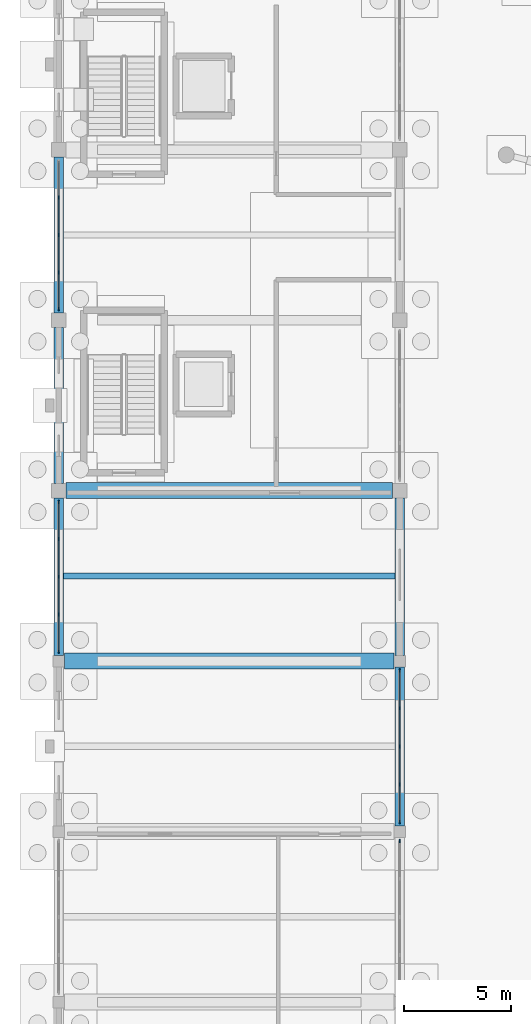
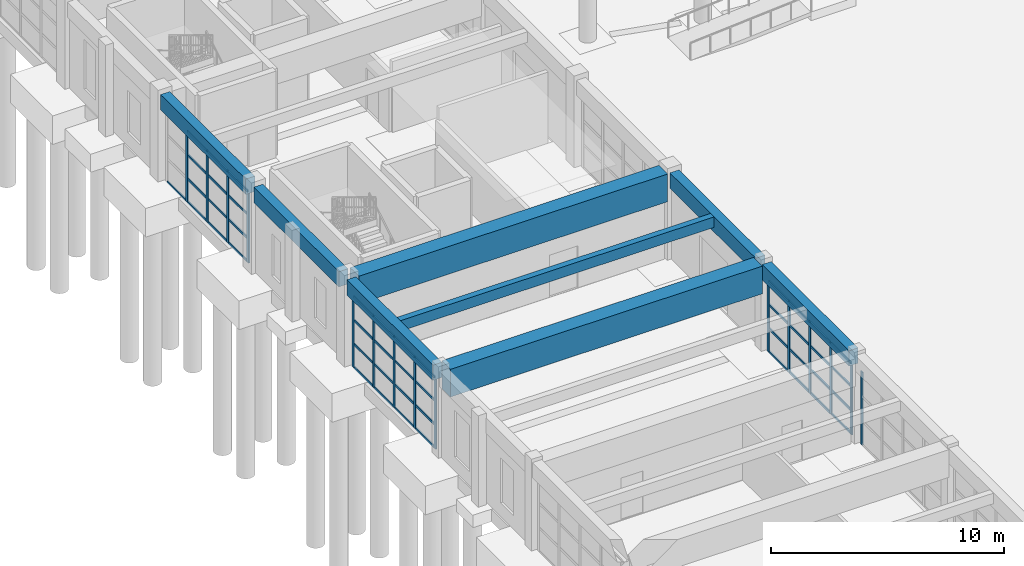
# One storey, part 11 of 68: 60 members, 8 beams, 4 elements without a shape of their own.
"""IFC4 building model written with IfcOpenShell, lengths in metres."""

from ifc_helpers import new_model, si_unit, direction, frame, origin, origin_2d, place, context, subcontext, project, spatial, rectangle, extrude, material, material_profile, profile_set, type_object, element, aggregate, save


model = new_model("IFC4")

# Units and contexts
model_context = context("Model", 3, precision=1e-05, world=origin(), true_north=direction((0.0, 1.0)))
body_context = subcontext(model_context, "Body", "Model", "MODEL_VIEW")
ifc_project = project(units=[si_unit("LENGTHUNIT", "METRE"), si_unit("AREAUNIT", "SQUARE_METRE"), si_unit("VOLUMEUNIT", "CUBIC_METRE"), si_unit("PLANEANGLEUNIT", "RADIAN"), si_unit("MASSUNIT", "GRAM", prefix="KILO")], contexts=[model_context])

# Site, building, storey
site_placement = place(None, origin())
site = spatial("IfcSite", under=ifc_project, at=site_placement, CompositionType="ELEMENT")
building_placement = place(site_placement, origin())
building = spatial("IfcBuilding", under=site, at=building_placement, Name="Serraluz Foothill Cableway Terminal", CompositionType="ELEMENT")
storey_placement = place(building_placement, origin())
storey = spatial("IfcBuildingStorey", under=building, at=storey_placement, Name="L00", CompositionType="ELEMENT", Elevation=0.0)

# Beams
ifc_material_1 = material(Name="Concrete C35/45 (f'c 35 MPa)", Category="concrete")
ifc_material_profile_1 = material_profile(ifc_material_1, rectangle(XDim=0.449951171875, YDim=0.800048828125, at=origin_2d()), Name="RC 450x800")
ifc_profile_set_1 = profile_set([ifc_material_profile_1], Name="Concrete C35/45 (f'c 35 MPa)")
beam_type_1 = type_object("IfcBeamType", Name="TYP-BM-RC450X800", PredefinedType="BEAM", material=ifc_profile_set_1)
beam_1_placement = place(storey_placement, frame((0.0, 24.27099609375, 4.139892578125), z_axis=(0.0, 1.0, 0.0), x_axis=(-1.0, 0.0, 0.0)))
element("IfcBeam", 1, at=beam_1_placement, inside=storey, type_object=beam_type_1, Name="Transverse Girder BM-Y-L00-0114", PredefinedType="BEAM", context=body_context, shape_type="SweptSolid", body=[
    extrude(rectangle(XDim=0.449951171875, YDim=0.800048828125, at=origin_2d()), origin(), (0.0, 0.0, 1.0), 7.383056640625),
])
for number, where, z_axis, x_axis, name in (
    (2, (0.0, 32.345947265625, 4.139892578125), (0.0, 1.0, 0.0), (-1.0, 0.0, 0.0), "Transverse Girder BM-Y-L00-0115"),
    (3, (0.0, 40.345947265625, 4.139892578125), (0.0, 1.0, 0.0), (-1.0, 0.0, 0.0), "Transverse Girder BM-Y-L00-0116"),
):
    element("IfcBeam", number, at=place(storey_placement, frame(where, z_axis=z_axis, x_axis=x_axis)), inside=storey, type_object=beam_type_1, Name=name, PredefinedType="BEAM", context=body_context, shape_type="SweptSolid", body=[
        extrude(rectangle(XDim=0.449951171875, YDim=0.800048828125, at=origin_2d()), origin(), (0.0, 0.0, 1.0), 7.30810546875),
    ])
beam_2_placement = place(storey_placement, frame((16.0, 16.27099609375, 4.139892578125), z_axis=(0.0, 1.0, 0.0), x_axis=(-1.0, 0.0, 0.0)))
element("IfcBeam", 4, at=beam_2_placement, inside=storey, type_object=beam_type_1, Name="Transverse Girder BM-Y-L00-0121", PredefinedType="BEAM", context=body_context, shape_type="SweptSolid", body=[
    extrude(rectangle(XDim=0.449951171875, YDim=0.800048828125, at=origin_2d()), origin(), (0.0, 0.0, 1.0), 7.4580078125),
])
beam_3_placement = place(storey_placement, frame((16.0, 24.27099609375, 4.139892578125), z_axis=(0.0, 1.0, 0.0), x_axis=(-1.0, 0.0, 0.0)))
element("IfcBeam", 5, at=beam_3_placement, inside=storey, type_object=beam_type_1, Name="Transverse Girder BM-Y-L00-0122", PredefinedType="BEAM", context=body_context, shape_type="SweptSolid", body=[
    extrude(rectangle(XDim=0.449951171875, YDim=0.800048828125, at=origin_2d()), origin(), (0.0, 0.0, 1.0), 7.383056640625),
])
ifc_material_profile_2 = material_profile(ifc_material_1, rectangle(XDim=0.75, YDim=1.449951171875, at=origin_2d()), Name="RC TG 750x1450")
ifc_profile_set_2 = profile_set([ifc_material_profile_2], Name="Concrete C35/45 (f'c 35 MPa)")
beam_type_2 = type_object("IfcBeamType", Name="TYP-BM-RCTG1450", PredefinedType="BEAM", material=ifc_profile_set_2)
beam_4_placement = place(storey_placement, frame((0.27099609375, 24.0, 3.81494140625), z_axis=(1.0, 0.0, 0.0), x_axis=(0.0, 1.0, 0.0)))
element("IfcBeam", 6, at=beam_4_placement, inside=storey, type_object=beam_type_2, Name="Primary Girder BM-X-L00-0048", PredefinedType="BEAM", context=body_context, shape_type="SweptSolid", body=[
    extrude(rectangle(XDim=0.75, YDim=1.449951171875, at=origin_2d()), origin(), (0.0, 0.0, 1.0), 15.4580078125),
])
beam_5_placement = place(storey_placement, frame((0.345947265625, 32.0, 3.81494140625), z_axis=(1.0, 0.0, 0.0), x_axis=(0.0, 1.0, 0.0)))
element("IfcBeam", 7, at=beam_5_placement, inside=storey, type_object=beam_type_2, Name="Primary Girder BM-X-L00-0050", PredefinedType="BEAM", context=body_context, shape_type="SweptSolid", body=[
    extrude(rectangle(XDim=0.75, YDim=1.449951171875, at=origin_2d()), origin(), (0.0, 0.0, 1.0), 15.30810546875),
])

# Curtain wall, member
ifc_material_2 = material(Name="Architectural bronze alloy C28000", Category="aluminium")
curtain_wall_type_1 = type_object("IfcCurtainWallType", Name="TYP-CW-540X420", PredefinedType="NOTDEFINED", material=ifc_material_2)
curtain_wall_1_placement = place(storey_placement, origin())
curtain_wall_1 = element("IfcCurtainWall", 8, at=curtain_wall_1_placement, inside=storey, type_object=curtain_wall_type_1, Name="Ribbed Glazed Curtain Wall CW-V5E-L00-8", PredefinedType="NOTDEFINED")
ifc_material_profile_3 = material_profile(ifc_material_2, rectangle(XDim=0.06005859375, YDim=0.159912109375, at=origin_2d()), Name="ALU MULLION 60x160")
ifc_profile_set_3 = profile_set([ifc_material_profile_3], Name="Architectural bronze alloy C28000")
member_type_1 = type_object("IfcMemberType", Name="TYP-CW-MUL-60X160", PredefinedType="MULLION", material=ifc_profile_set_3)
member_1_placement = place(storey_placement, frame((16.0, 15.554931640625, 0.0), z_axis=(0.0, 0.0, 1.0), x_axis=(1.0, 0.0, 0.0)))
member_1 = element("IfcMember", 9, at=member_1_placement, type_object=member_type_1, Name="CW-10 mullion 1", PredefinedType="MULLION", context=body_context, shape_type="SweptSolid", body=[
    extrude(rectangle(XDim=0.06005859375, YDim=0.159912109375, at=origin_2d()), origin(), (0.0, 0.0, 1.0), 3.820068359375),
])
aggregate(curtain_wall_1, [member_1])

# Curtain wall, members
curtain_wall_type_2 = type_object("IfcCurtainWallType", Name="TYP-CW-620X420", PredefinedType="NOTDEFINED", material=ifc_material_2)
curtain_wall_2_placement = place(storey_placement, origin())
curtain_wall_2 = element("IfcCurtainWall", 10, at=curtain_wall_2_placement, inside=storey, type_object=curtain_wall_type_2, Name="Ribbed Glazed Curtain Wall CW-V5E-L00-16", PredefinedType="NOTDEFINED")
member_2_placement = place(storey_placement, frame((16.0, 23.554931640625, 0.0), z_axis=(0.0, 0.0, 1.0), x_axis=(1.0, 0.0, 0.0)))
member_2 = element("IfcMember", 11, at=member_2_placement, type_object=member_type_1, Name="CW-11 mullion 1", PredefinedType="MULLION", context=body_context, shape_type="SweptSolid", body=[
    extrude(rectangle(XDim=0.06005859375, YDim=0.159912109375, at=origin_2d()), origin(), (0.0, 0.0, 1.0), 3.739990234375),
])
member_3_placement = place(storey_placement, frame((16.0, 21.79248046875, 0.0), z_axis=(0.0, 0.0, 1.0), x_axis=(1.0, 0.0, 0.0)))
member_3 = element("IfcMember", 12, at=member_3_placement, type_object=member_type_1, Name="CW-11 mullion 2", PredefinedType="MULLION", context=body_context, shape_type="SweptSolid", body=[
    extrude(rectangle(XDim=0.06005859375, YDim=0.159912109375, at=origin_2d()), origin(), (0.0, 0.0, 1.0), 3.739990234375),
])
member_4_placement = place(storey_placement, frame((16.0, 20.0, 0.0), z_axis=(0.0, 0.0, 1.0), x_axis=(1.0, 0.0, 0.0)))
member_4 = element("IfcMember", 13, at=member_4_placement, type_object=member_type_1, Name="CW-11 mullion 3", PredefinedType="MULLION", context=body_context, shape_type="SweptSolid", body=[
    extrude(rectangle(XDim=0.06005859375, YDim=0.159912109375, at=origin_2d()), origin(), (0.0, 0.0, 1.0), 3.739990234375),
])
member_5_placement = place(storey_placement, frame((16.0, 18.20751953125, 0.0), z_axis=(0.0, 0.0, 1.0), x_axis=(1.0, 0.0, 0.0)))
member_5 = element("IfcMember", 14, at=member_5_placement, type_object=member_type_1, Name="CW-11 mullion 4", PredefinedType="MULLION", context=body_context, shape_type="SweptSolid", body=[
    extrude(rectangle(XDim=0.06005859375, YDim=0.159912109375, at=origin_2d()), origin(), (0.0, 0.0, 1.0), 3.739990234375),
])
member_6_placement = place(storey_placement, frame((16.0, 16.445068359375, 0.0), z_axis=(0.0, 0.0, 1.0), x_axis=(1.0, 0.0, 0.0)))
member_6 = element("IfcMember", 15, at=member_6_placement, type_object=member_type_1, Name="CW-11 mullion 5", PredefinedType="MULLION", context=body_context, shape_type="SweptSolid", body=[
    extrude(rectangle(XDim=0.06005859375, YDim=0.159912109375, at=origin_2d()), origin(), (0.0, 0.0, 1.0), 3.739990234375),
])

curtain_wall_type_3 = type_object("IfcCurtainWallType", Name="TYP-CW-740X440", PredefinedType="NOTDEFINED", material=ifc_material_2)
curtain_wall_3_placement = place(storey_placement, origin())
curtain_wall_3 = element("IfcCurtainWall", 16, at=curtain_wall_3_placement, inside=storey, type_object=curtain_wall_type_3, Name="Ribbed Glazed Curtain Wall CW-V5W-L00-24", PredefinedType="NOTDEFINED")
member_7_placement = place(storey_placement, frame((0.0, 24.445068359375, 0.0), z_axis=(0.0, 0.0, 1.0), x_axis=(-1.0, 0.0, 0.0)))
member_7 = element("IfcMember", 17, at=member_7_placement, type_object=member_type_1, Name="CW-06 mullion 1", PredefinedType="MULLION", context=body_context, shape_type="SweptSolid", body=[
    extrude(rectangle(XDim=0.06005859375, YDim=0.159912109375, at=origin_2d()), origin(), (0.0, 0.0, 1.0), 3.739990234375),
])
member_8_placement = place(storey_placement, frame((0.0, 26.188720703125, 0.0), z_axis=(0.0, 0.0, 1.0), x_axis=(-1.0, 0.0, 0.0)))
member_8 = element("IfcMember", 18, at=member_8_placement, type_object=member_type_1, Name="CW-06 mullion 2", PredefinedType="MULLION", context=body_context, shape_type="SweptSolid", body=[
    extrude(rectangle(XDim=0.06005859375, YDim=0.159912109375, at=origin_2d()), origin(), (0.0, 0.0, 1.0), 3.739990234375),
])
member_9_placement = place(storey_placement, frame((0.0, 27.96240234375, 0.0), z_axis=(0.0, 0.0, 1.0), x_axis=(-1.0, 0.0, 0.0)))
member_9 = element("IfcMember", 19, at=member_9_placement, type_object=member_type_1, Name="CW-06 mullion 3", PredefinedType="MULLION", context=body_context, shape_type="SweptSolid", body=[
    extrude(rectangle(XDim=0.06005859375, YDim=0.159912109375, at=origin_2d()), origin(), (0.0, 0.0, 1.0), 3.739990234375),
])
member_10_placement = place(storey_placement, frame((0.0, 29.736328125, 0.0), z_axis=(0.0, 0.0, 1.0), x_axis=(-1.0, 0.0, 0.0)))
member_10 = element("IfcMember", 20, at=member_10_placement, type_object=member_type_1, Name="CW-06 mullion 4", PredefinedType="MULLION", context=body_context, shape_type="SweptSolid", body=[
    extrude(rectangle(XDim=0.06005859375, YDim=0.159912109375, at=origin_2d()), origin(), (0.0, 0.0, 1.0), 3.739990234375),
])
member_11_placement = place(storey_placement, frame((0.0, 31.47998046875, 0.0), z_axis=(0.0, 0.0, 1.0), x_axis=(-1.0, 0.0, 0.0)))
member_11 = element("IfcMember", 21, at=member_11_placement, type_object=member_type_1, Name="CW-06 mullion 5", PredefinedType="MULLION", context=body_context, shape_type="SweptSolid", body=[
    extrude(rectangle(XDim=0.06005859375, YDim=0.159912109375, at=origin_2d()), origin(), (0.0, 0.0, 1.0), 3.739990234375),
])

curtain_wall_type_4 = type_object("IfcCurtainWallType", Name="TYP-CW-520X440", PredefinedType="NOTDEFINED", material=ifc_material_2)
curtain_wall_4_placement = place(storey_placement, origin())
curtain_wall_4 = element("IfcCurtainWall", 22, at=curtain_wall_4_placement, inside=storey, type_object=curtain_wall_type_4, Name="Ribbed Glazed Curtain Wall CW-V5W-L00-40", PredefinedType="NOTDEFINED")
member_12_placement = place(storey_placement, frame((0.0, 40.52001953125, 0.0), z_axis=(0.0, 0.0, 1.0), x_axis=(-1.0, 0.0, 0.0)))
member_12 = element("IfcMember", 23, at=member_12_placement, type_object=member_type_1, Name="CW-08 mullion 1", PredefinedType="MULLION", context=body_context, shape_type="SweptSolid", body=[
    extrude(rectangle(XDim=0.06005859375, YDim=0.159912109375, at=origin_2d()), origin(), (0.0, 0.0, 1.0), 3.739990234375),
])
member_13_placement = place(storey_placement, frame((0.0, 42.2451171875, 0.0), z_axis=(0.0, 0.0, 1.0), x_axis=(-1.0, 0.0, 0.0)))
member_13 = element("IfcMember", 24, at=member_13_placement, type_object=member_type_1, Name="CW-08 mullion 2", PredefinedType="MULLION", context=body_context, shape_type="SweptSolid", body=[
    extrude(rectangle(XDim=0.06005859375, YDim=0.159912109375, at=origin_2d()), origin(), (0.0, 0.0, 1.0), 3.739990234375),
])
member_14_placement = place(storey_placement, frame((0.0, 44.0, 0.0), z_axis=(0.0, 0.0, 1.0), x_axis=(-1.0, 0.0, 0.0)))
member_14 = element("IfcMember", 25, at=member_14_placement, type_object=member_type_1, Name="CW-08 mullion 3", PredefinedType="MULLION", context=body_context, shape_type="SweptSolid", body=[
    extrude(rectangle(XDim=0.06005859375, YDim=0.159912109375, at=origin_2d()), origin(), (0.0, 0.0, 1.0), 3.739990234375),
])
member_15_placement = place(storey_placement, frame((0.0, 45.7548828125, 0.0), z_axis=(0.0, 0.0, 1.0), x_axis=(-1.0, 0.0, 0.0)))
member_15 = element("IfcMember", 26, at=member_15_placement, type_object=member_type_1, Name="CW-08 mullion 4", PredefinedType="MULLION", context=body_context, shape_type="SweptSolid", body=[
    extrude(rectangle(XDim=0.06005859375, YDim=0.159912109375, at=origin_2d()), origin(), (0.0, 0.0, 1.0), 3.739990234375),
])

# Member
ifc_material_profile_4 = material_profile(ifc_material_2, rectangle(XDim=0.06005859375, YDim=0.1201171875, at=origin_2d()), Name="ALU TRANSOM 60x120")
ifc_profile_set_4 = profile_set([ifc_material_profile_4], Name="Architectural bronze alloy C28000")
member_type_2 = type_object("IfcMemberType", Name="TYP-CW-TRN-60X120", PredefinedType="USERDEFINED", material=ifc_profile_set_4)
member_16_placement = place(storey_placement, frame((16.0, 23.52490234375, 0.030029296875), z_axis=(0.0, -1.0, 0.0), x_axis=(1.0, 0.0, 0.0)))
member_16 = element("IfcMember", 27, at=member_16_placement, type_object=member_type_2, Name="CW-11 transom 1.1", ObjectType="TRANSOM", PredefinedType="USERDEFINED", context=body_context, shape_type="SweptSolid", body=[
    extrude(rectangle(XDim=0.06005859375, YDim=0.1201171875, at=origin_2d()), origin(), (0.0, 0.0, 1.0), 1.702392578125),
])

member_17_placement = place(storey_placement, frame((16.0, 23.52490234375, 1.24658203125), z_axis=(0.0, -1.0, 0.0), x_axis=(1.0, 0.0, 0.0)))
member_17 = element("IfcMember", 28, at=member_17_placement, type_object=member_type_2, Name="CW-11 transom 1.2", ObjectType="TRANSOM", PredefinedType="USERDEFINED", context=body_context, shape_type="SweptSolid", body=[
    extrude(rectangle(XDim=0.06005859375, YDim=0.1201171875, at=origin_2d()), origin(), (0.0, 0.0, 1.0), 1.702392578125),
])

member_18_placement = place(storey_placement, frame((16.0, 23.52490234375, 2.493408203125), z_axis=(0.0, -1.0, 0.0), x_axis=(1.0, 0.0, 0.0)))
member_18 = element("IfcMember", 29, at=member_18_placement, type_object=member_type_2, Name="CW-11 transom 1.3", ObjectType="TRANSOM", PredefinedType="USERDEFINED", context=body_context, shape_type="SweptSolid", body=[
    extrude(rectangle(XDim=0.06005859375, YDim=0.1201171875, at=origin_2d()), origin(), (0.0, 0.0, 1.0), 1.702392578125),
])

member_19_placement = place(storey_placement, frame((16.0, 23.52490234375, 3.7099609375), z_axis=(0.0, -1.0, 0.0), x_axis=(1.0, 0.0, 0.0)))
member_19 = element("IfcMember", 30, at=member_19_placement, type_object=member_type_2, Name="CW-11 transom 1.4", ObjectType="TRANSOM", PredefinedType="USERDEFINED", context=body_context, shape_type="SweptSolid", body=[
    extrude(rectangle(XDim=0.06005859375, YDim=0.1201171875, at=origin_2d()), origin(), (0.0, 0.0, 1.0), 1.702392578125),
])

member_20_placement = place(storey_placement, frame((16.0, 21.762451171875, 0.030029296875), z_axis=(0.0, -1.0, 0.0), x_axis=(1.0, 0.0, 0.0)))
member_20 = element("IfcMember", 31, at=member_20_placement, type_object=member_type_2, Name="CW-11 transom 2.1", ObjectType="TRANSOM", PredefinedType="USERDEFINED", context=body_context, shape_type="SweptSolid", body=[
    extrude(rectangle(XDim=0.06005859375, YDim=0.1201171875, at=origin_2d()), origin(), (0.0, 0.0, 1.0), 1.732421875),
])

member_21_placement = place(storey_placement, frame((16.0, 21.762451171875, 1.24658203125), z_axis=(0.0, -1.0, 0.0), x_axis=(1.0, 0.0, 0.0)))
member_21 = element("IfcMember", 32, at=member_21_placement, type_object=member_type_2, Name="CW-11 transom 2.2", ObjectType="TRANSOM", PredefinedType="USERDEFINED", context=body_context, shape_type="SweptSolid", body=[
    extrude(rectangle(XDim=0.06005859375, YDim=0.1201171875, at=origin_2d()), origin(), (0.0, 0.0, 1.0), 1.732421875),
])

member_22_placement = place(storey_placement, frame((16.0, 21.762451171875, 2.493408203125), z_axis=(0.0, -1.0, 0.0), x_axis=(1.0, 0.0, 0.0)))
member_22 = element("IfcMember", 33, at=member_22_placement, type_object=member_type_2, Name="CW-11 transom 2.3", ObjectType="TRANSOM", PredefinedType="USERDEFINED", context=body_context, shape_type="SweptSolid", body=[
    extrude(rectangle(XDim=0.06005859375, YDim=0.1201171875, at=origin_2d()), origin(), (0.0, 0.0, 1.0), 1.732421875),
])

member_23_placement = place(storey_placement, frame((16.0, 21.762451171875, 3.7099609375), z_axis=(0.0, -1.0, 0.0), x_axis=(1.0, 0.0, 0.0)))
member_23 = element("IfcMember", 34, at=member_23_placement, type_object=member_type_2, Name="CW-11 transom 2.4", ObjectType="TRANSOM", PredefinedType="USERDEFINED", context=body_context, shape_type="SweptSolid", body=[
    extrude(rectangle(XDim=0.06005859375, YDim=0.1201171875, at=origin_2d()), origin(), (0.0, 0.0, 1.0), 1.732421875),
])

member_24_placement = place(storey_placement, frame((16.0, 19.969970703125, 0.030029296875), z_axis=(0.0, -1.0, 0.0), x_axis=(1.0, 0.0, 0.0)))
member_24 = element("IfcMember", 35, at=member_24_placement, type_object=member_type_2, Name="CW-11 transom 3.1", ObjectType="TRANSOM", PredefinedType="USERDEFINED", context=body_context, shape_type="SweptSolid", body=[
    extrude(rectangle(XDim=0.06005859375, YDim=0.1201171875, at=origin_2d()), origin(), (0.0, 0.0, 1.0), 1.732421875),
])

member_25_placement = place(storey_placement, frame((16.0, 19.969970703125, 1.24658203125), z_axis=(0.0, -1.0, 0.0), x_axis=(1.0, 0.0, 0.0)))
member_25 = element("IfcMember", 36, at=member_25_placement, type_object=member_type_2, Name="CW-11 transom 3.2", ObjectType="TRANSOM", PredefinedType="USERDEFINED", context=body_context, shape_type="SweptSolid", body=[
    extrude(rectangle(XDim=0.06005859375, YDim=0.1201171875, at=origin_2d()), origin(), (0.0, 0.0, 1.0), 1.732421875),
])

member_26_placement = place(storey_placement, frame((16.0, 19.969970703125, 2.493408203125), z_axis=(0.0, -1.0, 0.0), x_axis=(1.0, 0.0, 0.0)))
member_26 = element("IfcMember", 37, at=member_26_placement, type_object=member_type_2, Name="CW-11 transom 3.3", ObjectType="TRANSOM", PredefinedType="USERDEFINED", context=body_context, shape_type="SweptSolid", body=[
    extrude(rectangle(XDim=0.06005859375, YDim=0.1201171875, at=origin_2d()), origin(), (0.0, 0.0, 1.0), 1.732421875),
])

member_27_placement = place(storey_placement, frame((16.0, 19.969970703125, 3.7099609375), z_axis=(0.0, -1.0, 0.0), x_axis=(1.0, 0.0, 0.0)))
member_27 = element("IfcMember", 38, at=member_27_placement, type_object=member_type_2, Name="CW-11 transom 3.4", ObjectType="TRANSOM", PredefinedType="USERDEFINED", context=body_context, shape_type="SweptSolid", body=[
    extrude(rectangle(XDim=0.06005859375, YDim=0.1201171875, at=origin_2d()), origin(), (0.0, 0.0, 1.0), 1.732421875),
])

member_28_placement = place(storey_placement, frame((16.0, 18.177490234375, 0.030029296875), z_axis=(0.0, -1.0, 0.0), x_axis=(1.0, 0.0, 0.0)))
member_28 = element("IfcMember", 39, at=member_28_placement, type_object=member_type_2, Name="CW-11 transom 4.1", ObjectType="TRANSOM", PredefinedType="USERDEFINED", context=body_context, shape_type="SweptSolid", body=[
    extrude(rectangle(XDim=0.06005859375, YDim=0.1201171875, at=origin_2d()), origin(), (0.0, 0.0, 1.0), 1.702392578125),
])

member_29_placement = place(storey_placement, frame((16.0, 18.177490234375, 1.24658203125), z_axis=(0.0, -1.0, 0.0), x_axis=(1.0, 0.0, 0.0)))
member_29 = element("IfcMember", 40, at=member_29_placement, type_object=member_type_2, Name="CW-11 transom 4.2", ObjectType="TRANSOM", PredefinedType="USERDEFINED", context=body_context, shape_type="SweptSolid", body=[
    extrude(rectangle(XDim=0.06005859375, YDim=0.1201171875, at=origin_2d()), origin(), (0.0, 0.0, 1.0), 1.702392578125),
])

member_30_placement = place(storey_placement, frame((16.0, 18.177490234375, 2.493408203125), z_axis=(0.0, -1.0, 0.0), x_axis=(1.0, 0.0, 0.0)))
member_30 = element("IfcMember", 41, at=member_30_placement, type_object=member_type_2, Name="CW-11 transom 4.3", ObjectType="TRANSOM", PredefinedType="USERDEFINED", context=body_context, shape_type="SweptSolid", body=[
    extrude(rectangle(XDim=0.06005859375, YDim=0.1201171875, at=origin_2d()), origin(), (0.0, 0.0, 1.0), 1.702392578125),
])

member_31_placement = place(storey_placement, frame((16.0, 18.177490234375, 3.7099609375), z_axis=(0.0, -1.0, 0.0), x_axis=(1.0, 0.0, 0.0)))
member_31 = element("IfcMember", 42, at=member_31_placement, type_object=member_type_2, Name="CW-11 transom 4.4", ObjectType="TRANSOM", PredefinedType="USERDEFINED", context=body_context, shape_type="SweptSolid", body=[
    extrude(rectangle(XDim=0.06005859375, YDim=0.1201171875, at=origin_2d()), origin(), (0.0, 0.0, 1.0), 1.702392578125),
])

aggregate(curtain_wall_2, [member_2, member_3, member_4, member_5, member_6, member_16, member_17, member_18, member_19, member_20, member_21, member_22, member_23, member_24, member_25, member_26, member_27, member_28, member_29, member_30, member_31])

member_32_placement = place(storey_placement, frame((0.0, 24.47509765625, 0.030029296875), z_axis=(0.0, 1.0, 0.0), x_axis=(-1.0, 0.0, 0.0)))
member_32 = element("IfcMember", 43, at=member_32_placement, type_object=member_type_2, Name="CW-06 transom 1.1", ObjectType="TRANSOM", PredefinedType="USERDEFINED", context=body_context, shape_type="SweptSolid", body=[
    extrude(rectangle(XDim=0.06005859375, YDim=0.1201171875, at=origin_2d()), origin(), (0.0, 0.0, 1.0), 1.68359375),
])

member_33_placement = place(storey_placement, frame((0.0, 24.47509765625, 1.24658203125), z_axis=(0.0, 1.0, 0.0), x_axis=(-1.0, 0.0, 0.0)))
member_33 = element("IfcMember", 44, at=member_33_placement, type_object=member_type_2, Name="CW-06 transom 1.2", ObjectType="TRANSOM", PredefinedType="USERDEFINED", context=body_context, shape_type="SweptSolid", body=[
    extrude(rectangle(XDim=0.06005859375, YDim=0.1201171875, at=origin_2d()), origin(), (0.0, 0.0, 1.0), 1.68359375),
])

member_34_placement = place(storey_placement, frame((0.0, 24.47509765625, 2.493408203125), z_axis=(0.0, 1.0, 0.0), x_axis=(-1.0, 0.0, 0.0)))
member_34 = element("IfcMember", 45, at=member_34_placement, type_object=member_type_2, Name="CW-06 transom 1.3", ObjectType="TRANSOM", PredefinedType="USERDEFINED", context=body_context, shape_type="SweptSolid", body=[
    extrude(rectangle(XDim=0.06005859375, YDim=0.1201171875, at=origin_2d()), origin(), (0.0, 0.0, 1.0), 1.68359375),
])

member_35_placement = place(storey_placement, frame((0.0, 24.47509765625, 3.7099609375), z_axis=(0.0, 1.0, 0.0), x_axis=(-1.0, 0.0, 0.0)))
member_35 = element("IfcMember", 46, at=member_35_placement, type_object=member_type_2, Name="CW-06 transom 1.4", ObjectType="TRANSOM", PredefinedType="USERDEFINED", context=body_context, shape_type="SweptSolid", body=[
    extrude(rectangle(XDim=0.06005859375, YDim=0.1201171875, at=origin_2d()), origin(), (0.0, 0.0, 1.0), 1.68359375),
])

member_36_placement = place(storey_placement, frame((0.0, 26.21875, 0.030029296875), z_axis=(0.0, 1.0, 0.0), x_axis=(-1.0, 0.0, 0.0)))
member_36 = element("IfcMember", 47, at=member_36_placement, type_object=member_type_2, Name="CW-06 transom 2.1", ObjectType="TRANSOM", PredefinedType="USERDEFINED", context=body_context, shape_type="SweptSolid", body=[
    extrude(rectangle(XDim=0.06005859375, YDim=0.1201171875, at=origin_2d()), origin(), (0.0, 0.0, 1.0), 1.7138671875),
])

member_37_placement = place(storey_placement, frame((0.0, 26.21875, 1.24658203125), z_axis=(0.0, 1.0, 0.0), x_axis=(-1.0, 0.0, 0.0)))
member_37 = element("IfcMember", 48, at=member_37_placement, type_object=member_type_2, Name="CW-06 transom 2.2", ObjectType="TRANSOM", PredefinedType="USERDEFINED", context=body_context, shape_type="SweptSolid", body=[
    extrude(rectangle(XDim=0.06005859375, YDim=0.1201171875, at=origin_2d()), origin(), (0.0, 0.0, 1.0), 1.7138671875),
])

member_38_placement = place(storey_placement, frame((0.0, 26.21875, 2.493408203125), z_axis=(0.0, 1.0, 0.0), x_axis=(-1.0, 0.0, 0.0)))
member_38 = element("IfcMember", 49, at=member_38_placement, type_object=member_type_2, Name="CW-06 transom 2.3", ObjectType="TRANSOM", PredefinedType="USERDEFINED", context=body_context, shape_type="SweptSolid", body=[
    extrude(rectangle(XDim=0.06005859375, YDim=0.1201171875, at=origin_2d()), origin(), (0.0, 0.0, 1.0), 1.7138671875),
])

member_39_placement = place(storey_placement, frame((0.0, 26.21875, 3.7099609375), z_axis=(0.0, 1.0, 0.0), x_axis=(-1.0, 0.0, 0.0)))
member_39 = element("IfcMember", 50, at=member_39_placement, type_object=member_type_2, Name="CW-06 transom 2.4", ObjectType="TRANSOM", PredefinedType="USERDEFINED", context=body_context, shape_type="SweptSolid", body=[
    extrude(rectangle(XDim=0.06005859375, YDim=0.1201171875, at=origin_2d()), origin(), (0.0, 0.0, 1.0), 1.7138671875),
])

member_40_placement = place(storey_placement, frame((0.0, 27.992431640625, 0.030029296875), z_axis=(0.0, 1.0, 0.0), x_axis=(-1.0, 0.0, 0.0)))
member_40 = element("IfcMember", 51, at=member_40_placement, type_object=member_type_2, Name="CW-06 transom 3.1", ObjectType="TRANSOM", PredefinedType="USERDEFINED", context=body_context, shape_type="SweptSolid", body=[
    extrude(rectangle(XDim=0.06005859375, YDim=0.1201171875, at=origin_2d()), origin(), (0.0, 0.0, 1.0), 1.7138671875),
])

member_41_placement = place(storey_placement, frame((0.0, 27.992431640625, 1.24658203125), z_axis=(0.0, 1.0, 0.0), x_axis=(-1.0, 0.0, 0.0)))
member_41 = element("IfcMember", 52, at=member_41_placement, type_object=member_type_2, Name="CW-06 transom 3.2", ObjectType="TRANSOM", PredefinedType="USERDEFINED", context=body_context, shape_type="SweptSolid", body=[
    extrude(rectangle(XDim=0.06005859375, YDim=0.1201171875, at=origin_2d()), origin(), (0.0, 0.0, 1.0), 1.7138671875),
])

member_42_placement = place(storey_placement, frame((0.0, 27.992431640625, 2.493408203125), z_axis=(0.0, 1.0, 0.0), x_axis=(-1.0, 0.0, 0.0)))
member_42 = element("IfcMember", 53, at=member_42_placement, type_object=member_type_2, Name="CW-06 transom 3.3", ObjectType="TRANSOM", PredefinedType="USERDEFINED", context=body_context, shape_type="SweptSolid", body=[
    extrude(rectangle(XDim=0.06005859375, YDim=0.1201171875, at=origin_2d()), origin(), (0.0, 0.0, 1.0), 1.7138671875),
])

member_43_placement = place(storey_placement, frame((0.0, 27.992431640625, 3.7099609375), z_axis=(0.0, 1.0, 0.0), x_axis=(-1.0, 0.0, 0.0)))
member_43 = element("IfcMember", 54, at=member_43_placement, type_object=member_type_2, Name="CW-06 transom 3.4", ObjectType="TRANSOM", PredefinedType="USERDEFINED", context=body_context, shape_type="SweptSolid", body=[
    extrude(rectangle(XDim=0.06005859375, YDim=0.1201171875, at=origin_2d()), origin(), (0.0, 0.0, 1.0), 1.7138671875),
])

member_44_placement = place(storey_placement, frame((0.0, 29.766357421875, 0.030029296875), z_axis=(0.0, 1.0, 0.0), x_axis=(-1.0, 0.0, 0.0)))
member_44 = element("IfcMember", 55, at=member_44_placement, type_object=member_type_2, Name="CW-06 transom 4.1", ObjectType="TRANSOM", PredefinedType="USERDEFINED", context=body_context, shape_type="SweptSolid", body=[
    extrude(rectangle(XDim=0.06005859375, YDim=0.1201171875, at=origin_2d()), origin(), (0.0, 0.0, 1.0), 1.68359375),
])

member_45_placement = place(storey_placement, frame((0.0, 29.766357421875, 1.24658203125), z_axis=(0.0, 1.0, 0.0), x_axis=(-1.0, 0.0, 0.0)))
member_45 = element("IfcMember", 56, at=member_45_placement, type_object=member_type_2, Name="CW-06 transom 4.2", ObjectType="TRANSOM", PredefinedType="USERDEFINED", context=body_context, shape_type="SweptSolid", body=[
    extrude(rectangle(XDim=0.06005859375, YDim=0.1201171875, at=origin_2d()), origin(), (0.0, 0.0, 1.0), 1.68359375),
])

member_46_placement = place(storey_placement, frame((0.0, 29.766357421875, 2.493408203125), z_axis=(0.0, 1.0, 0.0), x_axis=(-1.0, 0.0, 0.0)))
member_46 = element("IfcMember", 57, at=member_46_placement, type_object=member_type_2, Name="CW-06 transom 4.3", ObjectType="TRANSOM", PredefinedType="USERDEFINED", context=body_context, shape_type="SweptSolid", body=[
    extrude(rectangle(XDim=0.06005859375, YDim=0.1201171875, at=origin_2d()), origin(), (0.0, 0.0, 1.0), 1.68359375),
])

member_47_placement = place(storey_placement, frame((0.0, 29.766357421875, 3.7099609375), z_axis=(0.0, 1.0, 0.0), x_axis=(-1.0, 0.0, 0.0)))
member_47 = element("IfcMember", 58, at=member_47_placement, type_object=member_type_2, Name="CW-06 transom 4.4", ObjectType="TRANSOM", PredefinedType="USERDEFINED", context=body_context, shape_type="SweptSolid", body=[
    extrude(rectangle(XDim=0.06005859375, YDim=0.1201171875, at=origin_2d()), origin(), (0.0, 0.0, 1.0), 1.68359375),
])

aggregate(curtain_wall_3, [member_7, member_8, member_9, member_10, member_11, member_32, member_33, member_34, member_35, member_36, member_37, member_38, member_39, member_40, member_41, member_42, member_43, member_44, member_45, member_46, member_47])

member_48_placement = place(storey_placement, frame((0.0, 40.550048828125, 0.030029296875), z_axis=(0.0, 1.0, 0.0), x_axis=(-1.0, 0.0, 0.0)))
member_48 = element("IfcMember", 59, at=member_48_placement, type_object=member_type_2, Name="CW-08 transom 1.1", ObjectType="TRANSOM", PredefinedType="USERDEFINED", context=body_context, shape_type="SweptSolid", body=[
    extrude(rectangle(XDim=0.06005859375, YDim=0.1201171875, at=origin_2d()), origin(), (0.0, 0.0, 1.0), 1.6650390625),
])

member_49_placement = place(storey_placement, frame((0.0, 40.550048828125, 1.24658203125), z_axis=(0.0, 1.0, 0.0), x_axis=(-1.0, 0.0, 0.0)))
member_49 = element("IfcMember", 60, at=member_49_placement, type_object=member_type_2, Name="CW-08 transom 1.2", ObjectType="TRANSOM", PredefinedType="USERDEFINED", context=body_context, shape_type="SweptSolid", body=[
    extrude(rectangle(XDim=0.06005859375, YDim=0.1201171875, at=origin_2d()), origin(), (0.0, 0.0, 1.0), 1.6650390625),
])

member_50_placement = place(storey_placement, frame((0.0, 40.550048828125, 2.493408203125), z_axis=(0.0, 1.0, 0.0), x_axis=(-1.0, 0.0, 0.0)))
member_50 = element("IfcMember", 61, at=member_50_placement, type_object=member_type_2, Name="CW-08 transom 1.3", ObjectType="TRANSOM", PredefinedType="USERDEFINED", context=body_context, shape_type="SweptSolid", body=[
    extrude(rectangle(XDim=0.06005859375, YDim=0.1201171875, at=origin_2d()), origin(), (0.0, 0.0, 1.0), 1.6650390625),
])

member_51_placement = place(storey_placement, frame((0.0, 40.550048828125, 3.7099609375), z_axis=(0.0, 1.0, 0.0), x_axis=(-1.0, 0.0, 0.0)))
member_51 = element("IfcMember", 62, at=member_51_placement, type_object=member_type_2, Name="CW-08 transom 1.4", ObjectType="TRANSOM", PredefinedType="USERDEFINED", context=body_context, shape_type="SweptSolid", body=[
    extrude(rectangle(XDim=0.06005859375, YDim=0.1201171875, at=origin_2d()), origin(), (0.0, 0.0, 1.0), 1.6650390625),
])

member_52_placement = place(storey_placement, frame((0.0, 42.27490234375, 0.030029296875), z_axis=(0.0, 1.0, 0.0), x_axis=(-1.0, 0.0, 0.0)))
member_52 = element("IfcMember", 63, at=member_52_placement, type_object=member_type_2, Name="CW-08 transom 2.1", ObjectType="TRANSOM", PredefinedType="USERDEFINED", context=body_context, shape_type="SweptSolid", body=[
    extrude(rectangle(XDim=0.06005859375, YDim=0.1201171875, at=origin_2d()), origin(), (0.0, 0.0, 1.0), 1.695068359375),
])

member_53_placement = place(storey_placement, frame((0.0, 42.27490234375, 1.24658203125), z_axis=(0.0, 1.0, 0.0), x_axis=(-1.0, 0.0, 0.0)))
member_53 = element("IfcMember", 64, at=member_53_placement, type_object=member_type_2, Name="CW-08 transom 2.2", ObjectType="TRANSOM", PredefinedType="USERDEFINED", context=body_context, shape_type="SweptSolid", body=[
    extrude(rectangle(XDim=0.06005859375, YDim=0.1201171875, at=origin_2d()), origin(), (0.0, 0.0, 1.0), 1.695068359375),
])

member_54_placement = place(storey_placement, frame((0.0, 42.27490234375, 2.493408203125), z_axis=(0.0, 1.0, 0.0), x_axis=(-1.0, 0.0, 0.0)))
member_54 = element("IfcMember", 65, at=member_54_placement, type_object=member_type_2, Name="CW-08 transom 2.3", ObjectType="TRANSOM", PredefinedType="USERDEFINED", context=body_context, shape_type="SweptSolid", body=[
    extrude(rectangle(XDim=0.06005859375, YDim=0.1201171875, at=origin_2d()), origin(), (0.0, 0.0, 1.0), 1.695068359375),
])

member_55_placement = place(storey_placement, frame((0.0, 42.27490234375, 3.7099609375), z_axis=(0.0, 1.0, 0.0), x_axis=(-1.0, 0.0, 0.0)))
member_55 = element("IfcMember", 66, at=member_55_placement, type_object=member_type_2, Name="CW-08 transom 2.4", ObjectType="TRANSOM", PredefinedType="USERDEFINED", context=body_context, shape_type="SweptSolid", body=[
    extrude(rectangle(XDim=0.06005859375, YDim=0.1201171875, at=origin_2d()), origin(), (0.0, 0.0, 1.0), 1.695068359375),
])

member_56_placement = place(storey_placement, frame((0.0, 44.030029296875, 0.030029296875), z_axis=(0.0, 1.0, 0.0), x_axis=(-1.0, 0.0, 0.0)))
member_56 = element("IfcMember", 67, at=member_56_placement, type_object=member_type_2, Name="CW-08 transom 3.1", ObjectType="TRANSOM", PredefinedType="USERDEFINED", context=body_context, shape_type="SweptSolid", body=[
    extrude(rectangle(XDim=0.06005859375, YDim=0.1201171875, at=origin_2d()), origin(), (0.0, 0.0, 1.0), 1.695068359375),
])

member_57_placement = place(storey_placement, frame((0.0, 44.030029296875, 1.24658203125), z_axis=(0.0, 1.0, 0.0), x_axis=(-1.0, 0.0, 0.0)))
member_57 = element("IfcMember", 68, at=member_57_placement, type_object=member_type_2, Name="CW-08 transom 3.2", ObjectType="TRANSOM", PredefinedType="USERDEFINED", context=body_context, shape_type="SweptSolid", body=[
    extrude(rectangle(XDim=0.06005859375, YDim=0.1201171875, at=origin_2d()), origin(), (0.0, 0.0, 1.0), 1.695068359375),
])

member_58_placement = place(storey_placement, frame((0.0, 44.030029296875, 2.493408203125), z_axis=(0.0, 1.0, 0.0), x_axis=(-1.0, 0.0, 0.0)))
member_58 = element("IfcMember", 69, at=member_58_placement, type_object=member_type_2, Name="CW-08 transom 3.3", ObjectType="TRANSOM", PredefinedType="USERDEFINED", context=body_context, shape_type="SweptSolid", body=[
    extrude(rectangle(XDim=0.06005859375, YDim=0.1201171875, at=origin_2d()), origin(), (0.0, 0.0, 1.0), 1.695068359375),
])

member_59_placement = place(storey_placement, frame((0.0, 44.030029296875, 3.7099609375), z_axis=(0.0, 1.0, 0.0), x_axis=(-1.0, 0.0, 0.0)))
member_59 = element("IfcMember", 70, at=member_59_placement, type_object=member_type_2, Name="CW-08 transom 3.4", ObjectType="TRANSOM", PredefinedType="USERDEFINED", context=body_context, shape_type="SweptSolid", body=[
    extrude(rectangle(XDim=0.06005859375, YDim=0.1201171875, at=origin_2d()), origin(), (0.0, 0.0, 1.0), 1.695068359375),
])

member_60_placement = place(storey_placement, frame((0.0, 45.784912109375, 0.030029296875), z_axis=(0.0, 1.0, 0.0), x_axis=(-1.0, 0.0, 0.0)))
member_60 = element("IfcMember", 71, at=member_60_placement, type_object=member_type_2, Name="CW-08 transom 4.1", ObjectType="TRANSOM", PredefinedType="USERDEFINED", context=body_context, shape_type="SweptSolid", body=[
    extrude(rectangle(XDim=0.06005859375, YDim=0.1201171875, at=origin_2d()), origin(), (0.0, 0.0, 1.0), 1.6650390625),
])

aggregate(curtain_wall_4, [member_12, member_13, member_14, member_15, member_48, member_49, member_50, member_51, member_52, member_53, member_54, member_55, member_56, member_57, member_58, member_59, member_60])

# Beam
ifc_material_3 = material(Name="Concrete C28/35 (f'c 28 MPa)", Category="concrete")
ifc_material_profile_5 = material_profile(ifc_material_3, rectangle(XDim=0.300048828125, YDim=0.550048828125, at=origin_2d()), Name="RC 300x550")
ifc_profile_set_5 = profile_set([ifc_material_profile_5], Name="Concrete C28/35 (f'c 28 MPa)")
beam_type_3 = type_object("IfcBeamType", Name="TYP-JS-RC300X550", PredefinedType="JOIST", material=ifc_profile_set_5)
beam_6_placement = place(storey_placement, frame((0.22998046875, 28.0, 4.264892578125), z_axis=(1.0, 0.0, 0.0), x_axis=(0.0, 1.0, 0.0)))
element("IfcBeam", 72, at=beam_6_placement, inside=storey, type_object=beam_type_3, Name="Secondary Floor Joist JS-L00-0012", PredefinedType="JOIST", context=body_context, shape_type="SweptSolid", body=[
    extrude(rectangle(XDim=0.300048828125, YDim=0.550048828125, at=origin_2d()), origin(), (0.0, 0.0, 1.0), 15.5400390625),
])

save(model, "model.ifc")
